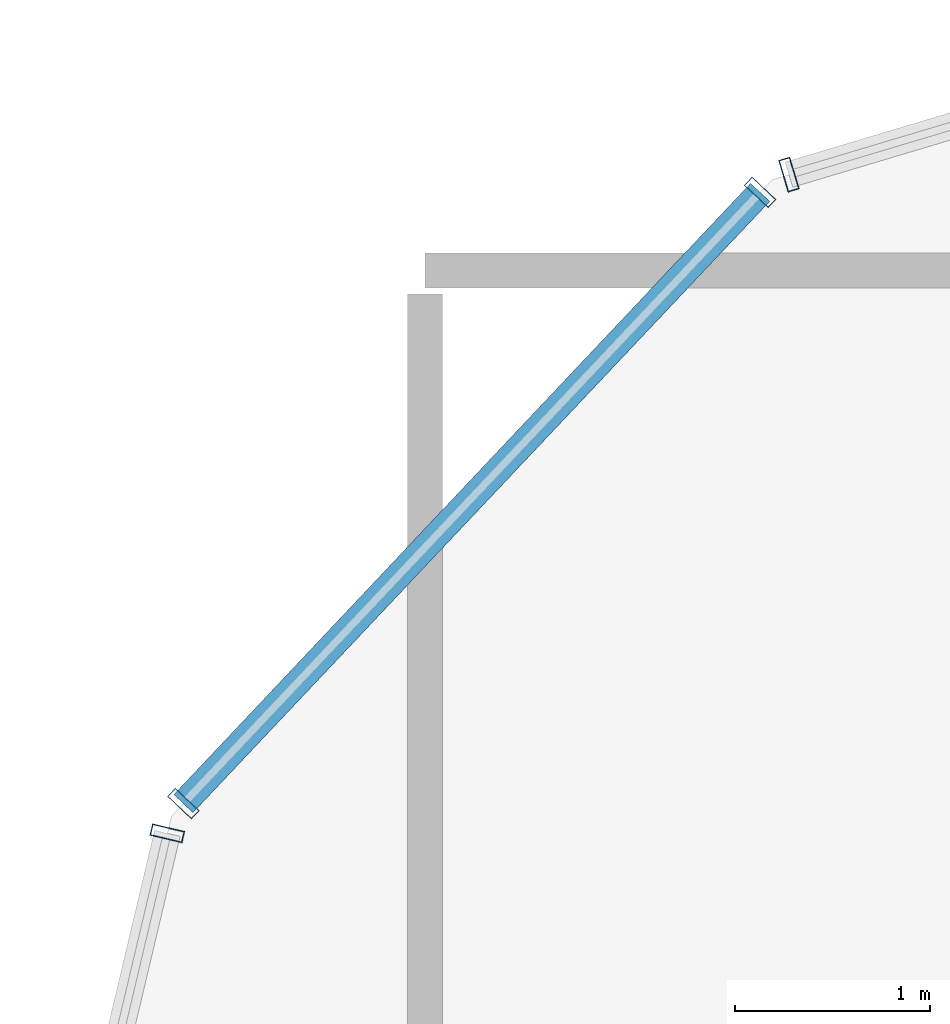
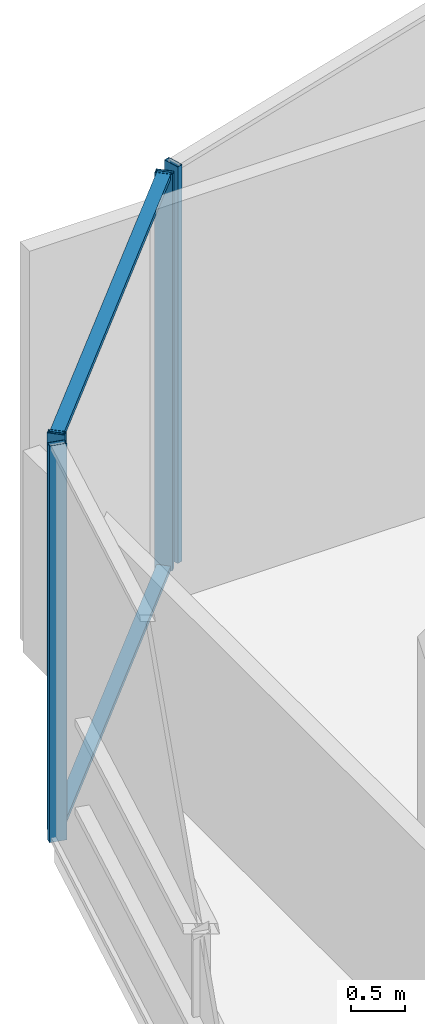
# One storey, part 23 of 41: 6 members, 3 elements without a shape of their own.
"""IFC4 building model written with IfcOpenShell, lengths in metres."""

import ifcopenshell
import ifcopenshell.guid

model = None  # the IFC model being written
_history = None  # IfcOwnerHistory: only IFC2X3 demands one
_inside = {}  # id of a spatial element -> (the spatial element, [elements in it])
_under = {}  # id of a project, library or spatial element -> (it, [spatial elements below it])
_declared = {}  # id of a project -> (the project, [libraries it declares])
_typed = {}  # id of a type object -> (the type object, [elements of that type])
_made_of = {}  # id of a material, layer set ... -> (it, [elements and type objects made of it])


def new_model(schema):
    """Start an empty IFC model of exactly this schema.

    Asked for "IFC4X3", IfcOpenShell would pick the latest addendum, in which some entities
    have other attributes; the version numbers below select the first issue.
    IFC2X3 requires an IfcOwnerHistory on every rooted entity: one is made here for all.
    """
    global model, _history
    if schema == "IFC4X3":
        model = ifcopenshell.file(schema_version=(4, 3, 0, 0))
    else:
        model = ifcopenshell.file(schema=schema)
    _inside.clear()
    _under.clear()
    _declared.clear()
    _typed.clear()
    _made_of.clear()
    _history = None
    if model.schema == "IFC2X3":
        org = make("IfcOrganization", Name="unknown")
        user = make(
            "IfcPersonAndOrganization",
            ThePerson=make("IfcPerson", FamilyName="unknown"),
            TheOrganization=org,
        )
        app = make(
            "IfcApplication",
            ApplicationDeveloper=org,
            Version="unknown",
            ApplicationFullName="unknown",
            ApplicationIdentifier="unknown",
        )
        _history = make(
            "IfcOwnerHistory",
            OwningUser=user,
            OwningApplication=app,
            ChangeAction="ADDED",
            CreationDate=0,
        )
    return model


def make(cls, **values):
    """One entity of the class cls with the attributes given. An attribute that is None is left unset."""
    return model.create_entity(
        cls, **{name: value for name, value in values.items() if value is not None}
    )


def rooted(cls, **values):
    """An entity with a GlobalId (a new one), such as an element, a storey or a relation."""
    return make(cls, GlobalId=ifcopenshell.guid.new(), OwnerHistory=_history, **values)


def si_unit(unit_type, name, prefix=None):
    """IfcSIUnit, for example si_unit("LENGTHUNIT", "METRE", prefix="MILLI")."""
    return make("IfcSIUnit", UnitType=unit_type, Prefix=prefix, Name=name)


def assignment(units):
    """IfcUnitAssignment: the units of a project."""
    return None if units is None else make("IfcUnitAssignment", Units=units)


def point(xyz):
    """IfcCartesianPoint."""
    return None if xyz is None else make("IfcCartesianPoint", Coordinates=xyz)


def direction(xyz):
    """IfcDirection."""
    return None if xyz is None else make("IfcDirection", DirectionRatios=xyz)


def frame(location, z_axis=None, x_axis=None):
    """IfcAxis2Placement3D, a coordinate frame: its origin and axes. An axis left out is left unset."""
    return make(
        "IfcAxis2Placement3D",
        Location=point(location),
        Axis=direction(z_axis),
        RefDirection=direction(x_axis),
    )


def frame_2d(location, x_axis=None):
    """IfcAxis2Placement2D, a coordinate frame in the plane: its origin and x axis."""
    return make(
        "IfcAxis2Placement2D", Location=point(location), RefDirection=direction(x_axis)
    )


def origin():
    """The frame at (0, 0, 0) with its axes left unset."""
    return frame((0.0, 0.0, 0.0))


def origin_2d():
    """The frame at (0, 0) in the plane with its x axis left unset."""
    return frame_2d((0.0, 0.0))


def place(relative_to, where):
    """IfcLocalPlacement: puts the frame where relative to a parent placement (None: the world)."""
    return make(
        "IfcLocalPlacement", PlacementRelTo=relative_to, RelativePlacement=where
    )


def context(
    kind, dimensions, precision=None, world=None, true_north=None, identifier=None
):
    """IfcGeometricRepresentationContext, for example the 3D "Model" context."""
    return make(
        "IfcGeometricRepresentationContext",
        ContextIdentifier=identifier,
        ContextType=kind,
        CoordinateSpaceDimension=dimensions,
        Precision=precision,
        WorldCoordinateSystem=world,
        TrueNorth=true_north,
    )


def subcontext(parent, identifier, kind, view, scale=None):
    """IfcGeometricRepresentationSubContext, for example "Body" below "Model"."""
    return make(
        "IfcGeometricRepresentationSubContext",
        ContextIdentifier=identifier,
        ContextType=kind,
        ParentContext=parent,
        TargetScale=scale,
        TargetView=view,
    )


def project(units=None, contexts=None):
    """IfcProject with its units and contexts."""
    return rooted(
        "IfcProject",
        Name="project",
        RepresentationContexts=contexts,
        UnitsInContext=assignment(units),
    )


def spatial(cls, under=None, at=None, **own):
    """A site, building, storey or space (cls), placed at a placement, below another one or the project."""
    s = rooted(cls, ObjectPlacement=at, **own)
    if under is not None:
        _under.setdefault(under.id(), (under, []))[1].append(s)
    return s


def profile(cls, at=None, kind="AREA", **sizes):
    """A parametric profile (cls). Its sizes go by their IFC names, for example OverallWidth=200.0."""
    return make(cls, ProfileType=kind, Position=at, **sizes)


def hollow_rectangle(**sizes):
    """IfcRectangleHollowProfileDef."""
    return profile("IfcRectangleHollowProfileDef", **sizes)


def extrude(swept, where, along, depth):
    """IfcExtrudedAreaSolid: the profile swept, set in the frame where, extruded along a direction by depth."""
    return make(
        "IfcExtrudedAreaSolid",
        SweptArea=swept,
        Position=where,
        ExtrudedDirection=direction(along),
        Depth=depth,
    )


def shape(context_of_items, identifier, shape_type, items):
    """IfcShapeRepresentation: the items that make up one representation, for example the "Body"."""
    return make(
        "IfcShapeRepresentation",
        ContextOfItems=context_of_items,
        RepresentationIdentifier=identifier,
        RepresentationType=shape_type,
        Items=items,
    )


def source(mapping_origin, context_of_items, identifier, shape_type, items):
    """IfcRepresentationMap: a shape defined once, which mapped items show again and again."""
    return make(
        "IfcRepresentationMap",
        MappingOrigin=mapping_origin,
        MappedRepresentation=shape(context_of_items, identifier, shape_type, items),
    )


def transform(
    local_origin,
    x_axis=None,
    y_axis=None,
    z_axis=None,
    scale=None,
    scale2=None,
    scale3=None,
    uniform=True,
):
    """IfcCartesianTransformationOperator3D, or its non-uniform kind. x_axis, y_axis, z_axis: its Axis1, 2, 3."""
    if uniform:
        return make(
            "IfcCartesianTransformationOperator3D",
            Axis1=direction(x_axis),
            Axis2=direction(y_axis),
            LocalOrigin=point(local_origin),
            Scale=scale,
            Axis3=direction(z_axis),
        )
    return make(
        "IfcCartesianTransformationOperator3DnonUniform",
        Axis1=direction(x_axis),
        Axis2=direction(y_axis),
        LocalOrigin=point(local_origin),
        Scale=scale,
        Axis3=direction(z_axis),
        Scale2=scale2,
        Scale3=scale3,
    )


def mapped(mapping_source, mapping_target):
    """IfcMappedItem: shows the shape of a source again, moved by a transform."""
    return make(
        "IfcMappedItem", MappingSource=mapping_source, MappingTarget=mapping_target
    )


def material(Name=None, Category=None):
    """IfcMaterial."""
    return make("IfcMaterial", Name=Name, Category=Category)


def layer(
    of_material, thickness, ventilated=None, Name=None, Category=None, Priority=None
):
    """IfcMaterialLayer: one layer of a wall or slab, of a material (None: an air gap)."""
    return make(
        "IfcMaterialLayer",
        Material=of_material,
        LayerThickness=thickness,
        IsVentilated=ventilated,
        Name=Name,
        Category=Category,
        Priority=Priority,
    )


def layer_set(layers, Name=None):
    """IfcMaterialLayerSet."""
    return make("IfcMaterialLayerSet", MaterialLayers=layers, LayerSetName=Name)


def material_profile(
    of_material, cross_section, Name=None, Category=None, Priority=None
):
    """IfcMaterialProfile: a cross section and its material."""
    return make(
        "IfcMaterialProfile",
        Name=Name,
        Material=of_material,
        Profile=cross_section,
        Priority=Priority,
        Category=Category,
    )


def profile_set(profiles, Name=None, composite=None):
    """IfcMaterialProfileSet."""
    return make(
        "IfcMaterialProfileSet",
        Name=Name,
        MaterialProfiles=profiles,
        CompositeProfile=composite,
    )


def made_of(thing, what):
    """Note that an element or type object is made of a material, layer set ...; save() writes the relation."""
    if what is not None:
        _made_of.setdefault(what.id(), (what, []))[1].append(thing)
    return thing


def type_object(cls, material=None, **own):
    """A type object (cls), such as IfcWallType, which elements share."""
    return made_of(rooted(cls, **own), material)


def element(
    cls,
    number,
    at=None,
    inside=None,
    cuts=None,
    type_object=None,
    material=None,
    context=None,
    identifier="Body",
    shape_type=None,
    held_by="IfcProductDefinitionShape",
    body=None,
    shapes=None,
    **own,
):
    """One element of the class cls, such as IfcWall. Its Tag is "e" and its number.

    at: its placement. inside: the storey or other place that contains it. cuts: it is an
    opening in that element (IfcRelVoidsElement). A single representation is given by context,
    identifier, shape_type and body (its items); several are given by shapes. held_by: the class
    of the entity that holds the representations. save() writes the other relations.
    """
    e = rooted(cls, Tag="e%d" % number, ObjectPlacement=at, **own)
    if body is not None:
        shapes = [shape(context, identifier, shape_type, body)]
    if shapes is not None:
        e.Representation = make(held_by, Representations=shapes)
    if inside is not None:
        _inside.setdefault(inside.id(), (inside, []))[1].append(e)
    if cuts is not None:
        rooted(
            "IfcRelVoidsElement", RelatingBuildingElement=cuts, RelatedOpeningElement=e
        )
    if type_object is not None:
        _typed.setdefault(type_object.id(), (type_object, []))[1].append(e)
    return made_of(e, material)


def aggregate(whole, parts):
    """IfcRelAggregates: a whole, such as a stair, and the parts it consists of."""
    return rooted("IfcRelAggregates", RelatingObject=whole, RelatedObjects=parts)


def save(model, path):
    """Write the relations noted so far, then the file.

    IfcRelAggregates (storeys below a building ...), IfcRelContainedInSpatialStructure (elements
    in a storey), IfcRelDefinesByType, IfcRelAssociatesMaterial and IfcRelDeclares: one each for
    every whole, place, type object, material and project.
    """
    for whole, parts in _under.values():
        aggregate(whole, parts)
    for where, things in _inside.values():
        rooted(
            "IfcRelContainedInSpatialStructure",
            RelatedElements=things,
            RelatingStructure=where,
        )
    for kind, things in _typed.values():
        rooted("IfcRelDefinesByType", RelatedObjects=things, RelatingType=kind)
    for what, things in _made_of.values():
        rooted("IfcRelAssociatesMaterial", RelatedObjects=things, RelatingMaterial=what)
    for by, libraries in _declared.values():
        rooted("IfcRelDeclares", RelatingContext=by, RelatedDefinitions=libraries)
    model.write(path)


model = new_model("IFC4")

# Units and contexts
model_context = context("Model", 3, precision=1e-05, world=origin(), true_north=direction((0.0, 1.0)))
body_context = subcontext(model_context, "Body", "Model", "MODEL_VIEW")
ifc_project = project(units=[si_unit("LENGTHUNIT", "METRE"), si_unit("AREAUNIT", "SQUARE_METRE"), si_unit("VOLUMEUNIT", "CUBIC_METRE"), si_unit("PLANEANGLEUNIT", "RADIAN"), si_unit("MASSUNIT", "GRAM", prefix="KILO")], contexts=[model_context])

# Site, building, storey
site_placement = place(None, origin())
site = spatial("IfcSite", under=ifc_project, at=site_placement, CompositionType="ELEMENT")
building_placement = place(site_placement, origin())
building = spatial("IfcBuilding", under=site, at=building_placement, Name="Veraguas Prism Commons", CompositionType="ELEMENT")
storey_placement = place(building_placement, frame((0.0, 0.0, 80.35009765625)))
storey = spatial("IfcBuildingStorey", under=building, at=storey_placement, Name="L22", CompositionType="ELEMENT", Elevation=80.35009765625)

# Curtain wall, members
ifc_material = material(Name="Anodised aluminium EN AW-6063 T6", Category="aluminium")
ifc_layer = layer(ifc_material, 0.169921875, Name="Unitised Flush Curtain Wall Zone 1", Category="aluminium")
ifc_layer_set = layer_set([ifc_layer], Name="Anodised aluminium EN AW-6063 T6")
curtain_wall_type = type_object("IfcCurtainWallType", Name="Unitised Flush Curtain Wall Zone 1", PredefinedType="NOTDEFINED", material=ifc_layer_set)
curtain_wall_1_placement = place(storey_placement, origin())
curtain_wall_1 = element("IfcCurtainWall", 1, at=curtain_wall_1_placement, inside=storey, type_object=curtain_wall_type, Name="Chamfer Curtain Wall L22-C3", PredefinedType="NOTDEFINED")
ifc_material_profile_1 = material_profile(ifc_material, hollow_rectangle(XDim=0.054931640625, YDim=0.135009765625, WallThickness=0.0029296875, at=origin_2d()), Name="AL55X135X3")
ifc_profile_set_1 = profile_set([ifc_material_profile_1], Name="Anodised aluminium EN AW-6063 T6")
member_type_1 = type_object("IfcMemberType", Name="Curtain Wall Transom Standard AL 55x135x3", PredefinedType="USERDEFINED", material=ifc_profile_set_1)
shared_shape_1 = source(origin(), body_context, "Body", "SweptSolid", [
    extrude(hollow_rectangle(XDim=0.054931640625, YDim=0.135009765625, WallThickness=0.0029296875, at=origin_2d()), origin(), (0.0, 0.0, 1.0), 4.320068359375),
])
member_1_placement = place(storey_placement, frame((8.97216796875, 41.1513671875, 0.02734375), z_axis=(-0.686294894111, -0.727323393215, 0.0), x_axis=(0.0, 0.0, 1.0)))
member_1 = element("IfcMember", 2, at=member_1_placement, type_object=member_type_1, Name="CW-Z1 Transom 1", ObjectType="TRANSOM", PredefinedType="USERDEFINED", context=body_context, shape_type="MappedRepresentation", body=[
    mapped(shared_shape_1, transform((0.0, 0.0, 0.0), scale=1.0)),
])
member_2_placement = place(storey_placement, frame((8.97216796875, 41.1513671875, 4.452392578125), z_axis=(-0.686294894111, -0.727323393215, 0.0), x_axis=(0.0, 0.0, 1.0)))
member_2 = element("IfcMember", 3, at=member_2_placement, type_object=member_type_1, Name="CW-Z1 Transom 2", ObjectType="TRANSOM", PredefinedType="USERDEFINED", context=body_context, shape_type="MappedRepresentation", body=[
    mapped(shared_shape_1, transform((0.0, 0.0, 0.0), scale=1.0)),
])

# Curtain wall, member
curtain_wall_2_placement = place(storey_placement, origin())
curtain_wall_2 = element("IfcCurtainWall", 4, at=curtain_wall_2_placement, inside=storey, type_object=curtain_wall_type, Name="Tower Facade Curtain Wall L22-F2", PredefinedType="NOTDEFINED")
ifc_material_profile_2 = material_profile(ifc_material, hollow_rectangle(XDim=0.06005859375, YDim=0.169921875, WallThickness=0.00390625, at=origin_2d()), Name="AL60X170X4")
ifc_profile_set_2 = profile_set([ifc_material_profile_2], Name="Anodised aluminium EN AW-6063 T6")
member_type_2 = type_object("IfcMemberType", Name="Curtain Wall Mullion Lower AL 60x170x4", PredefinedType="MULLION", material=ifc_profile_set_2)
shared_shape_2 = source(origin(), body_context, "Body", "SweptSolid", [
    extrude(hollow_rectangle(XDim=0.06005859375, YDim=0.169921875, WallThickness=0.00390625, at=origin_2d()), origin(), (0.0, 0.0, 1.0), 4.47998046875),
])
member_3_placement = place(storey_placement, frame((9.120361328125, 41.242431640625, 0.0), z_axis=(0.0, 0.0, 1.0), x_axis=(-0.958022876902, -0.286691763629, 0.0)))
member_3 = element("IfcMember", 5, at=member_3_placement, type_object=member_type_2, Name="CW-Z1 Mullion 5", PredefinedType="MULLION", context=body_context, shape_type="MappedRepresentation", body=[
    mapped(shared_shape_2, transform((0.0, 0.0, 0.0), scale=1.0)),
])
aggregate(curtain_wall_2, [member_3])

curtain_wall_3_placement = place(storey_placement, origin())
curtain_wall_3 = element("IfcCurtainWall", 6, at=curtain_wall_3_placement, inside=storey, type_object=curtain_wall_type, Name="Tower Facade Curtain Wall L22-F3", PredefinedType="NOTDEFINED")
member_4_placement = place(storey_placement, frame((5.9248046875, 37.856201171875, 0.0), z_axis=(0.0, 0.0, 1.0), x_axis=(-0.2307341828, -0.97301682251, 0.0)))
member_4 = element("IfcMember", 7, at=member_4_placement, type_object=member_type_2, Name="CW-Z1 Mullion 1", PredefinedType="MULLION", context=body_context, shape_type="MappedRepresentation", body=[
    mapped(shared_shape_2, transform((0.0, 0.0, 0.0), scale=1.0)),
])
aggregate(curtain_wall_3, [member_4])

# Member
member_5_placement = place(storey_placement, frame((8.97216796875, 41.1513671875, 0.0), z_axis=(0.0, 0.0, 1.0), x_axis=(-0.686318650749, -0.727300975961, 0.0)))
member_5 = element("IfcMember", 8, at=member_5_placement, type_object=member_type_2, Name="CW-Z1 Mullion 1", PredefinedType="MULLION", context=body_context, shape_type="MappedRepresentation", body=[
    mapped(shared_shape_2, transform((0.0, 0.0, 0.0), scale=1.0)),
])

member_6_placement = place(storey_placement, frame((6.00732421875, 38.00927734375, 0.0), z_axis=(0.0, 0.0, 1.0), x_axis=(-0.686318650749, -0.727300975961, 0.0)))
member_6 = element("IfcMember", 9, at=member_6_placement, type_object=member_type_2, Name="CW-Z1 Mullion 2", PredefinedType="MULLION", context=body_context, shape_type="MappedRepresentation", body=[
    mapped(shared_shape_2, transform((0.0, 0.0, 0.0), scale=1.0)),
])

aggregate(curtain_wall_1, [member_5, member_6, member_1, member_2])

save(model, "model.ifc")
